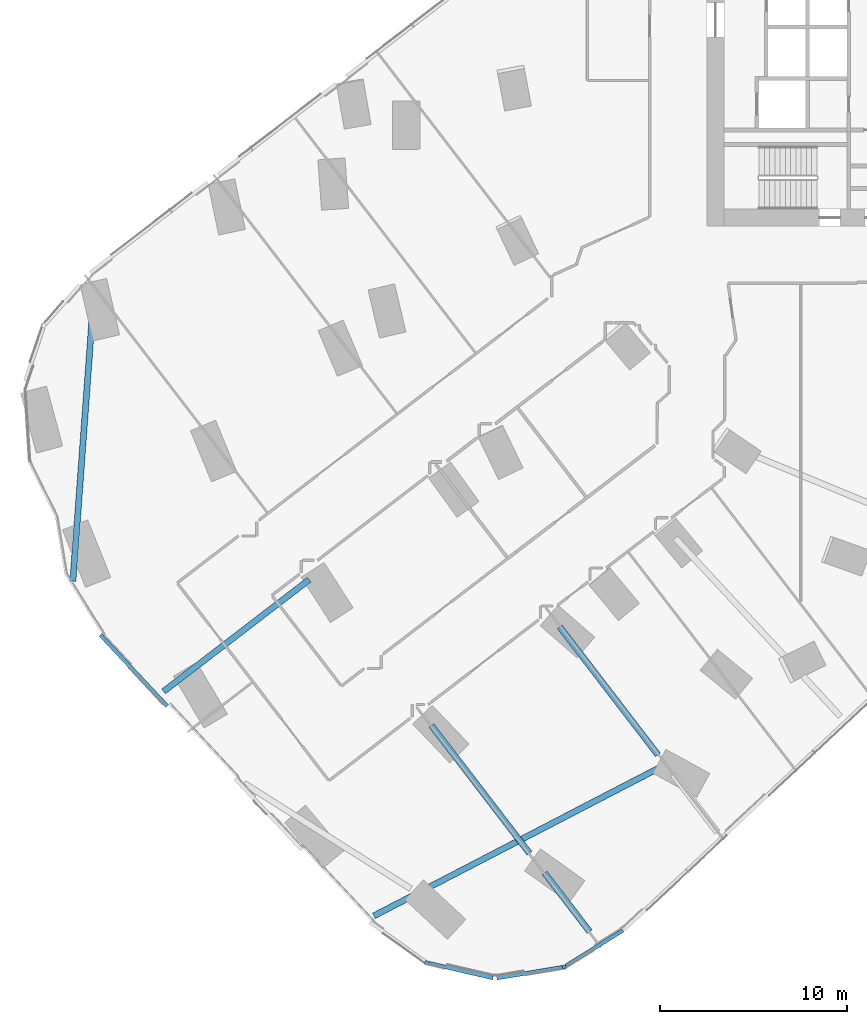
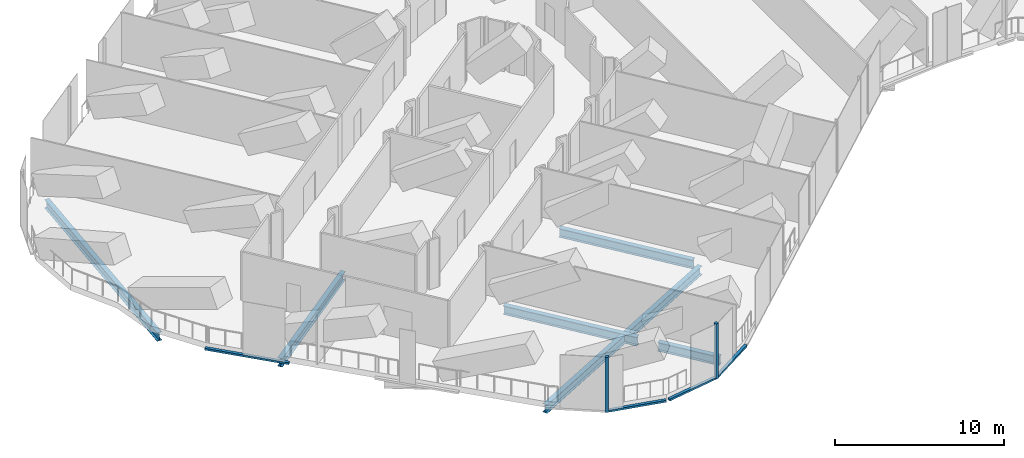
# One storey, part 3 of 32: 6 beams, 6 members, 5 elements without a shape of their own.
"""IFC4 building model written with IfcOpenShell, lengths in metres."""

from ifc_helpers import new_model, si_unit, direction, frame, origin, origin_2d, place, context, subcontext, project, spatial, rectangle, i_section, extrude, material, material_profile, profile_set, type_object, element, aggregate, save


model = new_model("IFC4")

# Units and contexts
model_context = context("Model", 3, precision=1e-05, world=origin(), true_north=direction((0.0, 1.0)))
body_context = subcontext(model_context, "Body", "Model", "MODEL_VIEW")
ifc_project = project(units=[si_unit("LENGTHUNIT", "METRE"), si_unit("AREAUNIT", "SQUARE_METRE"), si_unit("VOLUMEUNIT", "CUBIC_METRE"), si_unit("PLANEANGLEUNIT", "RADIAN"), si_unit("MASSUNIT", "GRAM", prefix="KILO")], contexts=[model_context])

# Site, building, storey
site_placement = place(None, origin())
site = spatial("IfcSite", under=ifc_project, at=site_placement, CompositionType="ELEMENT")
building_placement = place(site_placement, origin())
building = spatial("IfcBuilding", under=site, at=building_placement, Name="Orlundy Tower", CompositionType="ELEMENT")
storey_placement = place(building_placement, frame((0.0, 0.0, 33.300048828125)))
storey = spatial("IfcBuildingStorey", under=building, at=storey_placement, Name="L06", CompositionType="ELEMENT", Elevation=33.300048828125)

# Beams
ifc_material_1 = material(Name="Steel ASTM A992 Gr 50", Category="steel")
ifc_material_profile_1 = material_profile(ifc_material_1, i_section(OverallWidth=0.32373046875, OverallDepth=0.611083984375, WebThickness=0.0126953125, FlangeThickness=0.01904296875, at=origin_2d()), Name="W24X104")
ifc_profile_set_1 = profile_set([ifc_material_profile_1], Name="Steel ASTM A992 Gr 50")
beam_type_1 = type_object("IfcBeamType", Name="CANTILEVER GIRDER beam W24X104", PredefinedType="BEAM", material=ifc_profile_set_1)
beam_1_placement = place(storey_placement, frame((-52.83642578125, -30.946533203125, -0.7255859375), z_axis=(0.072861322364, 0.997342081587, 0.0), x_axis=(-0.997342081587, 0.072861322364, 0.0)))
element("IfcBeam", 1, at=beam_1_placement, inside=storey, type_object=beam_type_1, Name="Cantilever girder C-B2-5 L06", PredefinedType="BEAM", context=body_context, shape_type="SweptSolid", body=[
    extrude(i_section(OverallWidth=0.32373046875, OverallDepth=0.611083984375, WebThickness=0.0126953125, FlangeThickness=0.01904296875, at=origin_2d()), origin(), (0.0, 0.0, 1.0), 15.33642578125),
])
beam_2_placement = place(storey_placement, frame((-47.995849609375, -36.827880859375, -0.7255859375), z_axis=(0.793377940801, 0.608729367659, 0.0), x_axis=(-0.608729367659, 0.793377940801, 0.0)))
element("IfcBeam", 2, at=beam_2_placement, inside=storey, type_object=beam_type_1, Name="Cantilever girder C-B3-5 L06", PredefinedType="BEAM", context=body_context, shape_type="SweptSolid", body=[
    extrude(i_section(OverallWidth=0.32373046875, OverallDepth=0.611083984375, WebThickness=0.0126953125, FlangeThickness=0.01904296875, at=origin_2d()), origin(), (0.0, 0.0, 1.0), 9.790771484375),
])
beam_3_placement = place(storey_placement, frame((-36.775146484375, -48.804931640625, -0.7255859375), z_axis=(0.887680113204, 0.460460656976, 0.0), x_axis=(-0.460460656976, 0.887680113204, 0.0)))
element("IfcBeam", 3, at=beam_3_placement, inside=storey, type_object=beam_type_1, Name="Cantilever girder C-B5-5 L06", PredefinedType="BEAM", context=body_context, shape_type="SweptSolid", body=[
    extrude(i_section(OverallWidth=0.32373046875, OverallDepth=0.611083984375, WebThickness=0.0126953125, FlangeThickness=0.01904296875, at=origin_2d()), origin(), (0.0, 0.0, 1.0), 17.083251953125),
])
ifc_material_2 = material(Name="Steel ASTM A992 Gr 50", Category="steel")
ifc_material_profile_2 = material_profile(ifc_material_2, i_section(OverallWidth=0.3291015625, OverallDepth=0.635009765625, WebThickness=0.017822265625, FlangeThickness=0.031005859375, at=origin_2d()), Name="W24X162")
ifc_profile_set_2 = profile_set([ifc_material_profile_2], Name="Steel ASTM A992 Gr 50")
beam_type_2 = type_object("IfcBeamType", Name="CANTILEVER GIRDER beam W24X162", PredefinedType="BEAM", material=ifc_profile_set_2)
beam_4_placement = place(storey_placement, frame((-21.623779296875, -40.209716796875, -0.737548828125), z_axis=(-0.608746878189, 0.793364505316, 0.0), x_axis=(-0.793364505316, -0.608746878189, 0.0)))
element("IfcBeam", 4, at=beam_4_placement, inside=storey, type_object=beam_type_2, Name="Back-span girder C-B5-2 L06", PredefinedType="BEAM", context=body_context, shape_type="SweptSolid", body=[
    extrude(i_section(OverallWidth=0.3291015625, OverallDepth=0.635009765625, WebThickness=0.017822265625, FlangeThickness=0.031005859375, at=origin_2d()), origin(), (0.0, 0.0, 1.0), 8.596923828125),
])
beam_5_placement = place(storey_placement, frame((-25.263671875, -49.64794921875, -0.737548828125), z_axis=(-0.608745509316, 0.793365555648, 0.0), x_axis=(-0.793365555648, -0.608745509316, 0.0)))
element("IfcBeam", 5, at=beam_5_placement, inside=storey, type_object=beam_type_2, Name="Cantilever girder C-B5-3 L06", PredefinedType="BEAM", context=body_context, shape_type="SweptSolid", body=[
    extrude(i_section(OverallWidth=0.3291015625, OverallDepth=0.635009765625, WebThickness=0.017822265625, FlangeThickness=0.031005859375, at=origin_2d()), origin(), (0.0, 0.0, 1.0), 3.949951171875),
])
beam_6_placement = place(storey_placement, frame((-28.4755859375, -45.4619140625, -0.737548828125), z_axis=(-0.608755989538, 0.793357514114, 0.0), x_axis=(-0.793357514114, -0.608755989538, 0.0)))
element("IfcBeam", 6, at=beam_6_placement, inside=storey, type_object=beam_type_2, Name="Back-span girder C-B5-3 L06", PredefinedType="BEAM", context=body_context, shape_type="SweptSolid", body=[
    extrude(i_section(OverallWidth=0.3291015625, OverallDepth=0.635009765625, WebThickness=0.017822265625, FlangeThickness=0.031005859375, at=origin_2d()), origin(), (0.0, 0.0, 1.0), 8.592529296875),
])

# Curtain wall, member
ifc_material_3 = material(Name="Aluminium bronze anodised", Category="aluminium")
curtain_wall_type = type_object("IfcCurtainWallType", Name="CW5 wall", PredefinedType="NOTDEFINED", material=ifc_material_3)
curtain_wall_1_placement = place(storey_placement, origin())
curtain_wall_1 = element("IfcCurtainWall", 7, at=curtain_wall_1_placement, inside=storey, type_object=curtain_wall_type, Name="CW5 run 032", PredefinedType="NOTDEFINED")
ifc_material_4 = material(Name="Aluminium bronze anodised", Category="aluminium")
ifc_material_profile_3 = material_profile(ifc_material_4, rectangle(XDim=0.199951171875, YDim=0.199951171875, at=origin_2d()), Name="CW5 corner post 200x200")
ifc_profile_set_3 = profile_set([ifc_material_profile_3], Name="Aluminium bronze anodised")
member_type_1 = type_object("IfcMemberType", Name="CW5 corner post 200x200", PredefinedType="MULLION", material=ifc_profile_set_3)
member_1_placement = place(storey_placement, frame((-26.6259765625, -51.532470703125, -0.420166015625), z_axis=(0.0, 0.0, 1.0), x_axis=(0.163786370223, -0.986495831177, 0.0)))
member_1 = element("IfcMember", 8, at=member_1_placement, type_object=member_type_1, Name="CW5 mullion 57", PredefinedType="MULLION", context=body_context, shape_type="SweptSolid", body=[
    extrude(rectangle(XDim=0.199951171875, YDim=0.199951171875, at=origin_2d()), origin(), (0.0, 0.0, 1.0), 4.0),
])

curtain_wall_2_placement = place(storey_placement, origin())
curtain_wall_2 = element("IfcCurtainWall", 9, at=curtain_wall_2_placement, inside=storey, type_object=curtain_wall_type, Name="CW5 run 034", PredefinedType="NOTDEFINED")
member_2_placement = place(storey_placement, frame((-33.970947265625, -51.2978515625, -0.420166015625), z_axis=(0.0, 0.0, 1.0), x_axis=(-0.58197810512, -0.813204454711, 0.0)))
member_2 = element("IfcMember", 10, at=member_2_placement, type_object=member_type_1, Name="CW5 mullion 59", PredefinedType="MULLION", context=body_context, shape_type="SweptSolid", body=[
    extrude(rectangle(XDim=0.199951171875, YDim=0.199951171875, at=origin_2d()), origin(), (0.0, 0.0, 1.0), 4.0),
])
aggregate(curtain_wall_2, [member_2])

curtain_wall_3_placement = place(storey_placement, origin())
curtain_wall_3 = element("IfcCurtainWall", 11, at=curtain_wall_3_placement, inside=storey, type_object=curtain_wall_type, Name="CW5 run 031", PredefinedType="NOTDEFINED")
ifc_material_5 = material(Name="Aluminium bronze anodised", Category="aluminium")
ifc_material_profile_4 = material_profile(ifc_material_5, rectangle(XDim=0.199951171875, YDim=0.139892578125, at=origin_2d()), Name="CW5 transom 200x140")
ifc_profile_set_4 = profile_set([ifc_material_profile_4], Name="Aluminium bronze anodised")
member_type_2 = type_object("IfcMemberType", Name="CW5 transom 200x140", PredefinedType="USERDEFINED", material=ifc_profile_set_4)
member_3_placement = place(storey_placement, frame((-23.47509765625, -49.571044921875, -0.35009765625), z_axis=(-0.848978925194, -0.528426706911, 0.0), x_axis=(0.528426706911, -0.848978925194, 0.0)))
member_3 = element("IfcMember", 12, at=member_3_placement, type_object=member_type_2, Name="CW5 transom", ObjectType="TRANSOM", PredefinedType="USERDEFINED", context=body_context, shape_type="SweptSolid", body=[
    extrude(rectangle(XDim=0.199951171875, YDim=0.139892578125, at=origin_2d()), origin(), (0.0, 0.0, 1.0), 3.603271484375),
])
aggregate(curtain_wall_3, [member_3])

# Member
member_4_placement = place(storey_placement, frame((-26.724609375, -51.548828125, -0.35009765625), z_axis=(-0.986498179627, -0.163772224728, 0.0), x_axis=(0.163772224728, -0.986498179627, 0.0)))
member_4 = element("IfcMember", 13, at=member_4_placement, type_object=member_type_2, Name="CW5 transom", ObjectType="TRANSOM", PredefinedType="USERDEFINED", context=body_context, shape_type="SweptSolid", body=[
    extrude(rectangle(XDim=0.199951171875, YDim=0.139892578125, at=origin_2d()), origin(), (0.0, 0.0, 1.0), 3.53759765625),
])

aggregate(curtain_wall_1, [member_1, member_4])

# Curtain wall, member
curtain_wall_4_placement = place(storey_placement, origin())
curtain_wall_4 = element("IfcCurtainWall", 14, at=curtain_wall_4_placement, inside=storey, type_object=curtain_wall_type, Name="CW5 run 033", PredefinedType="NOTDEFINED")
member_5_placement = place(storey_placement, frame((-30.418701171875, -52.123291015625, -0.35009765625), z_axis=(-0.974057563309, 0.226300383033, 0.0), x_axis=(-0.226300383033, -0.974057563309, 0.0)))
member_5 = element("IfcMember", 15, at=member_5_placement, type_object=member_type_2, Name="CW5 transom", ObjectType="TRANSOM", PredefinedType="USERDEFINED", context=body_context, shape_type="SweptSolid", body=[
    extrude(rectangle(XDim=0.199951171875, YDim=0.139892578125, at=origin_2d()), origin(), (0.0, 0.0, 1.0), 3.53857421875),
])
aggregate(curtain_wall_4, [member_5])

curtain_wall_5_placement = place(storey_placement, origin())
curtain_wall_5 = element("IfcCurtainWall", 16, at=curtain_wall_5_placement, inside=storey, type_object=curtain_wall_type, Name="CW5 run 035", PredefinedType="NOTDEFINED")
member_6_placement = place(storey_placement, frame((-47.808349609375, -37.6103515625, -0.35009765625), z_axis=(-0.684134397333, 0.729355966854, 0.0), x_axis=(-0.729355966854, -0.684134397333, 0.0)))
member_6 = element("IfcMember", 17, at=member_6_placement, type_object=member_type_2, Name="CW5 transom", ObjectType="TRANSOM", PredefinedType="USERDEFINED", context=body_context, shape_type="SweptSolid", body=[
    extrude(rectangle(XDim=0.199951171875, YDim=0.139892578125, at=origin_2d()), origin(), (0.0, 0.0, 1.0), 5.209716796875),
])
aggregate(curtain_wall_5, [member_6])

save(model, "model.ifc")
